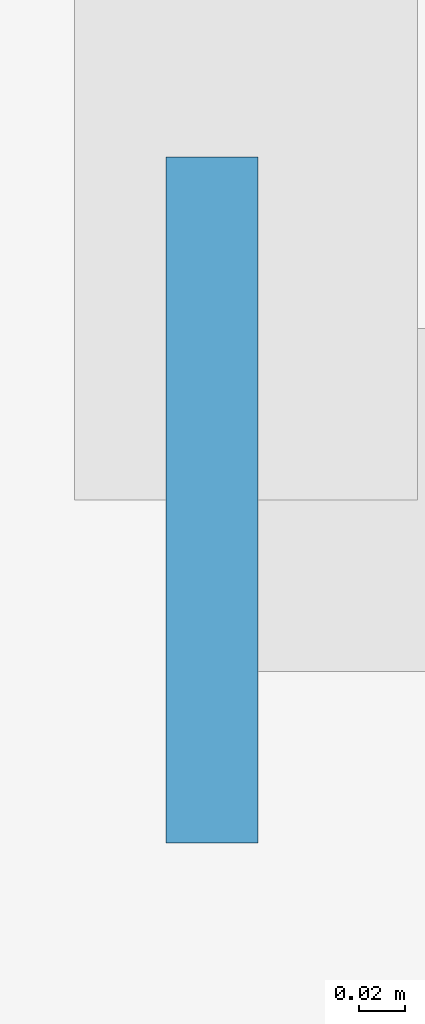
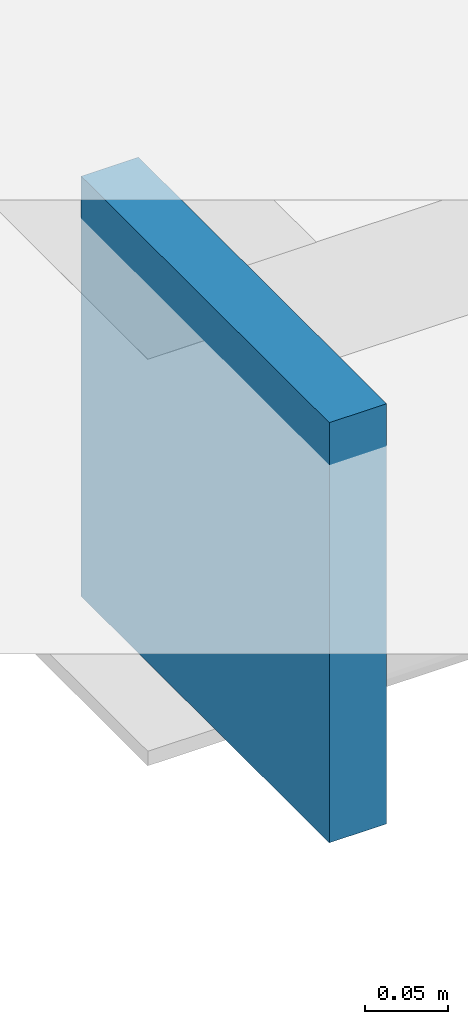
# One storey, part 17 of 26: 1 plate.
"""IFC4 building model written with IfcOpenShell, lengths in metres."""

from ifc_helpers import new_model, si_unit, direction, frame, origin, origin_2d, place, context, subcontext, project, spatial, rectangle, extrude, material, layer, layer_set, type_object, element, save


model = new_model("IFC4")

# Units and contexts
model_context = context("Model", 3, precision=1e-05, world=origin(), true_north=direction((0.0, 1.0)))
body_context = subcontext(model_context, "Body", "Model", "MODEL_VIEW")
ifc_project = project(units=[si_unit("LENGTHUNIT", "METRE"), si_unit("AREAUNIT", "SQUARE_METRE"), si_unit("VOLUMEUNIT", "CUBIC_METRE"), si_unit("PLANEANGLEUNIT", "RADIAN"), si_unit("MASSUNIT", "GRAM", prefix="KILO"), si_unit("THERMODYNAMICTEMPERATUREUNIT", "KELVIN"), si_unit("POWERUNIT", "WATT")], contexts=[model_context])

# Site, building, storey
site_placement = place(None, origin())
site = spatial("IfcSite", under=ifc_project, at=site_placement, CompositionType="ELEMENT")
building_placement = place(site_placement, origin())
building = spatial("IfcBuilding", under=site, at=building_placement, Name="Svarakhadi Broadcast Tower", CompositionType="ELEMENT")
storey_placement = place(building_placement, frame((0.0, 0.0, 184.199951171875)))
storey = spatial("IfcBuildingStorey", under=building, at=storey_placement, Name="L45", CompositionType="ELEMENT", Elevation=184.199951171875)

# Plate
ifc_material = material(Name="Steel S460ML (IS 2062 E450BR)", Category="steel")
ifc_layer = layer(ifc_material, 0.028076171875)
ifc_layer_set = layer_set([ifc_layer], Name="Steel S460ML (IS 2062 E450BR)")
plate_type = type_object("IfcPlateType", Name="Cap_Plate_CP02", PredefinedType="USERDEFINED", material=ifc_layer_set)
plate_placement = place(storey_placement, frame((29.985107421875, -1.800048828125, -0.5048828125), z_axis=(0.0, 0.0, 1.0), x_axis=(1.0, 0.0, 0.0)))
element("IfcPlate", 1, at=plate_placement, inside=storey, type_object=plate_type, Name="L45 Balcony Spandrel End Cap Plate 1F-A", ObjectType="FLANGE_PLATE", PredefinedType="USERDEFINED", context=body_context, shape_type="SweptSolid", body=[
    extrude(rectangle(XDim=0.0400390625, YDim=0.300048828125, at=origin_2d()), origin(), (0.0, 0.0, 1.0), 0.31005859375),
])

save(model, "model.ifc")
